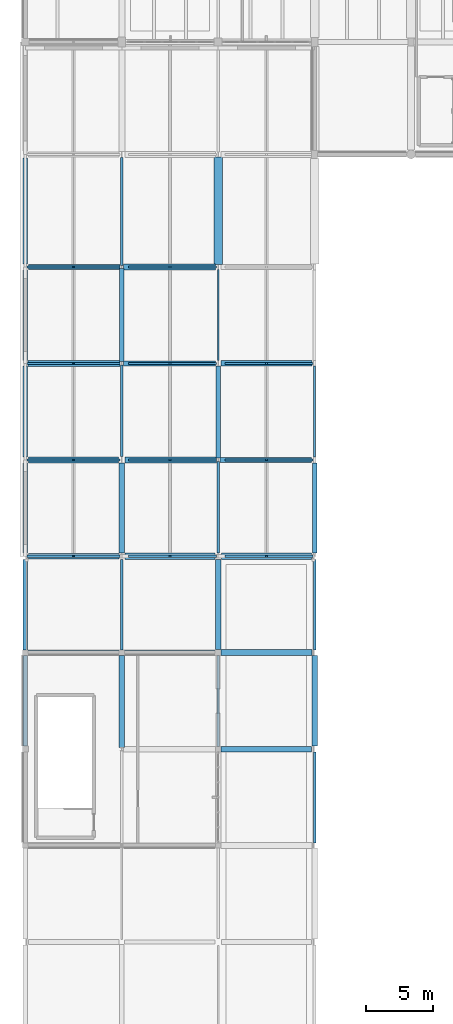
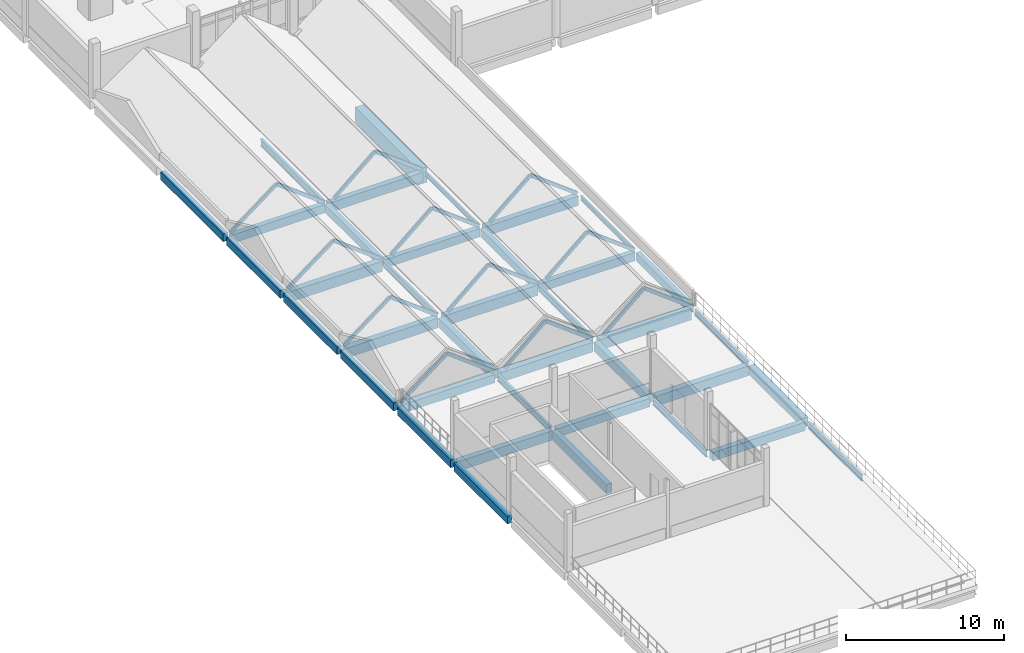
# One storey, part 6 of 41: 38 beams, 22 members.
"""IFC4 building model written with IfcOpenShell, lengths in metres."""

from ifc_helpers import new_model, si_unit, direction, frame, origin, origin_2d, place, context, subcontext, project, spatial, rectangle, hollow_rectangle, i_section, extrude, material, material_profile, profile_set, type_object, element, save


model = new_model("IFC4")

# Units and contexts
model_context = context("Model", 3, precision=1e-05, world=origin(), true_north=direction((0.0, 1.0)))
body_context = subcontext(model_context, "Body", "Model", "MODEL_VIEW")
ifc_project = project(units=[si_unit("LENGTHUNIT", "METRE"), si_unit("AREAUNIT", "SQUARE_METRE"), si_unit("VOLUMEUNIT", "CUBIC_METRE"), si_unit("PLANEANGLEUNIT", "RADIAN"), si_unit("MASSUNIT", "GRAM", prefix="KILO")], contexts=[model_context])

# Site, building, storey
site_placement = place(None, origin())
site = spatial("IfcSite", under=ifc_project, at=site_placement, CompositionType="ELEMENT")
building_placement = place(site_placement, origin())
building = spatial("IfcBuilding", under=site, at=building_placement, Name="Kalluvel Institute of Natural Sciences", CompositionType="ELEMENT")
storey_placement = place(building_placement, frame((0.0, 0.0, 32.39990234375)))
storey = spatial("IfcBuildingStorey", under=building, at=storey_placement, Name="L07", CompositionType="ELEMENT", Elevation=32.39990234375)

# Beams
ifc_material_1 = material(Name="Steel E350 Grade 350", Category="steel")
ifc_material_profile_1 = material_profile(ifc_material_1, i_section(OverallWidth=0.139892578125, OverallDepth=0.35009765625, WebThickness=0.008056640625, FlangeThickness=0.01416015625, FilletRadius=0.013916015625, at=origin_2d()), Name="ISMB 350")
ifc_profile_set_1 = profile_set([ifc_material_profile_1], Name="Steel E350 Grade 350")
beam_type_1 = type_object("IfcBeamType", Name="BM-ISMB350", PredefinedType="BEAM", material=ifc_profile_set_1)
beam_1_placement = place(storey_placement, frame((28.39990234375, 79.0, -0.494873046875), z_axis=(0.0, 1.0, 0.0), x_axis=(-1.0, 0.0, 0.0)))
element("IfcBeam", 1, at=beam_1_placement, inside=storey, type_object=beam_type_1, Name="L07 girder GIR-L07-NS-X284-Y788", PredefinedType="BEAM", context=body_context, shape_type="SweptSolid", body=[
    extrude(i_section(OverallWidth=0.139892578125, OverallDepth=0.35009765625, WebThickness=0.008056640625, FlangeThickness=0.01416015625, FilletRadius=0.013916015625, at=origin_2d()), origin(), (0.0, 0.0, 1.0), 6.800048828125),
])
beam_2_placement = place(storey_placement, frame((35.60009765625, 71.824951171875, -0.494873046875), z_axis=(0.0, 1.0, 0.0), x_axis=(-1.0, 0.0, 0.0)))
element("IfcBeam", 2, at=beam_2_placement, inside=storey, type_object=beam_type_1, Name="L07 girder GIR-L07-NS-X356-Y716", PredefinedType="BEAM", context=body_context, shape_type="SweptSolid", body=[
    extrude(i_section(OverallWidth=0.139892578125, OverallDepth=0.35009765625, WebThickness=0.008056640625, FlangeThickness=0.01416015625, FilletRadius=0.013916015625, at=origin_2d()), origin(), (0.0, 0.0, 1.0), 6.775146484375),
])
ifc_material_profile_2 = material_profile(ifc_material_1, i_section(OverallWidth=0.179931640625, OverallDepth=0.5, WebThickness=0.01025390625, FlangeThickness=0.01708984375, FilletRadius=0.01708984375, at=origin_2d()), Name="ISMB 500")
ifc_profile_set_2 = profile_set([ifc_material_profile_2], Name="Steel E350 Grade 350")
beam_type_2 = type_object("IfcBeamType", Name="BM-ISMB500", PredefinedType="BEAM", material=ifc_profile_set_2)
beam_3_placement = place(storey_placement, frame((21.199951171875, 57.39990234375, -0.56982421875), z_axis=(0.0, 1.0, 0.0), x_axis=(-1.0, 0.0, 0.0)))
element("IfcBeam", 3, at=beam_3_placement, inside=storey, type_object=beam_type_2, Name="L07 girder GIR-L07-NS-X212-Y572", PredefinedType="BEAM", context=body_context, shape_type="SweptSolid", body=[
    extrude(i_section(OverallWidth=0.179931640625, OverallDepth=0.5, WebThickness=0.01025390625, FlangeThickness=0.01708984375, FilletRadius=0.01708984375, at=origin_2d()), origin(), (0.0, 0.0, 1.0), 6.775146484375),
])
beam_4_placement = place(storey_placement, frame((21.199951171875, 71.85009765625, -0.56982421875), z_axis=(0.0, 1.0, 0.0), x_axis=(-1.0, 0.0, 0.0)))
element("IfcBeam", 4, at=beam_4_placement, inside=storey, type_object=beam_type_2, Name="L07 girder GIR-L07-NS-X212-Y716", PredefinedType="BEAM", context=body_context, shape_type="SweptSolid", body=[
    extrude(i_section(OverallWidth=0.179931640625, OverallDepth=0.5, WebThickness=0.01025390625, FlangeThickness=0.01708984375, FilletRadius=0.01708984375, at=origin_2d()), origin(), (0.0, 0.0, 1.0), 6.824951171875),
])
beam_5_placement = place(storey_placement, frame((28.39990234375, 50.199951171875, -0.56982421875), z_axis=(0.0, 1.0, 0.0), x_axis=(-1.0, 0.0, 0.0)))
element("IfcBeam", 5, at=beam_5_placement, inside=storey, type_object=beam_type_2, Name="L07 girder GIR-L07-NS-X284-Y500", PredefinedType="BEAM", context=body_context, shape_type="SweptSolid", body=[
    extrude(i_section(OverallWidth=0.179931640625, OverallDepth=0.5, WebThickness=0.01025390625, FlangeThickness=0.01708984375, FilletRadius=0.01708984375, at=origin_2d()), origin(), (0.0, 0.0, 1.0), 6.775146484375),
])
beam_6_placement = place(storey_placement, frame((28.39990234375, 64.64990234375, -0.56982421875), z_axis=(0.0, 1.0, 0.0), x_axis=(-1.0, 0.0, 0.0)))
element("IfcBeam", 6, at=beam_6_placement, inside=storey, type_object=beam_type_2, Name="L07 girder GIR-L07-NS-X284-Y644", PredefinedType="BEAM", context=body_context, shape_type="SweptSolid", body=[
    extrude(i_section(OverallWidth=0.179931640625, OverallDepth=0.5, WebThickness=0.01025390625, FlangeThickness=0.01708984375, FilletRadius=0.01708984375, at=origin_2d()), origin(), (0.0, 0.0, 1.0), 6.8251953125),
])
beam_7_placement = place(storey_placement, frame((35.60009765625, 43.0, -0.56982421875), z_axis=(0.0, 1.0, 0.0), x_axis=(-1.0, 0.0, 0.0)))
element("IfcBeam", 7, at=beam_7_placement, inside=storey, type_object=beam_type_2, Name="L07 girder GIR-L07-NS-X356-Y428", PredefinedType="BEAM", context=body_context, shape_type="SweptSolid", body=[
    extrude(i_section(OverallWidth=0.179931640625, OverallDepth=0.5, WebThickness=0.01025390625, FlangeThickness=0.01708984375, FilletRadius=0.01708984375, at=origin_2d()), origin(), (0.0, 0.0, 1.0), 6.77490234375),
])
beam_8_placement = place(storey_placement, frame((35.60009765625, 57.39990234375, -0.56982421875), z_axis=(0.0, 1.0, 0.0), x_axis=(-1.0, 0.0, 0.0)))
element("IfcBeam", 8, at=beam_8_placement, inside=storey, type_object=beam_type_2, Name="L07 girder GIR-L07-NS-X356-Y572", PredefinedType="BEAM", context=body_context, shape_type="SweptSolid", body=[
    extrude(i_section(OverallWidth=0.179931640625, OverallDepth=0.5, WebThickness=0.01025390625, FlangeThickness=0.01708984375, FilletRadius=0.01708984375, at=origin_2d()), origin(), (0.0, 0.0, 1.0), 6.75),
])
ifc_material_profile_3 = material_profile(ifc_material_1, i_section(OverallWidth=0.18994140625, OverallDepth=0.550048828125, WebThickness=0.01123046875, FlangeThickness=0.019287109375, FilletRadius=0.01806640625, at=origin_2d()), Name="ISMB 550")
ifc_profile_set_3 = profile_set([ifc_material_profile_3], Name="Steel E350 Grade 350")
beam_type_3 = type_object("IfcBeamType", Name="BM-ISMB550", PredefinedType="BEAM", material=ifc_profile_set_3)
beam_9_placement = place(storey_placement, frame((21.199951171875, 86.125, -0.594970703125), z_axis=(0.0, 1.0, 0.0), x_axis=(-1.0, 0.0, 0.0)))
element("IfcBeam", 9, at=beam_9_placement, inside=storey, type_object=beam_type_3, Name="L07 girder GIR-L07-NS-X212-Y860", PredefinedType="BEAM", context=body_context, shape_type="SweptSolid", body=[
    extrude(i_section(OverallWidth=0.18994140625, OverallDepth=0.550048828125, WebThickness=0.01123046875, FlangeThickness=0.019287109375, FilletRadius=0.01806640625, at=origin_2d()), origin(), (0.0, 0.0, 1.0), 8.050048828125),
])
ifc_material_2 = material(Name="Concrete M40", Category="concrete")
ifc_material_profile_4 = material_profile(ifc_material_2, rectangle(XDim=0.35009765625, YDim=0.60009765625, at=origin_2d()), Name="RCB 350x600")
ifc_profile_set_4 = profile_set([ifc_material_profile_4], Name="Concrete M40")
beam_type_4 = type_object("IfcBeamType", Name="BM-RC350x600", PredefinedType="BEAM", material=ifc_profile_set_4)
beam_10_placement = place(storey_placement, frame((21.199951171875, 78.925048828125, -0.619873046875), z_axis=(0.0, 1.0, 0.0), x_axis=(-1.0, 0.0, 0.0)))
element("IfcBeam", 10, at=beam_10_placement, inside=storey, type_object=beam_type_4, Name="L07 girder GIR-L07-NS-X212-Y788", PredefinedType="BEAM", context=body_context, shape_type="SweptSolid", body=[
    extrude(rectangle(XDim=0.35009765625, YDim=0.60009765625, at=origin_2d()), origin(), (0.0, 0.0, 1.0), 6.949951171875),
])
beam_11_placement = place(storey_placement, frame((28.39990234375, 71.72509765625, -0.619873046875), z_axis=(0.0, 1.0, 0.0), x_axis=(-1.0, 0.0, 0.0)))
element("IfcBeam", 11, at=beam_11_placement, inside=storey, type_object=beam_type_4, Name="L07 girder GIR-L07-NS-X284-Y716", PredefinedType="BEAM", context=body_context, shape_type="SweptSolid", body=[
    extrude(rectangle(XDim=0.35009765625, YDim=0.60009765625, at=origin_2d()), origin(), (0.0, 0.0, 1.0), 6.875),
])
beam_12_placement = place(storey_placement, frame((35.60009765625, 64.64990234375, -0.619873046875), z_axis=(0.0, 1.0, 0.0), x_axis=(-1.0, 0.0, 0.0)))
element("IfcBeam", 12, at=beam_12_placement, inside=storey, type_object=beam_type_4, Name="L07 girder GIR-L07-NS-X356-Y644", PredefinedType="BEAM", context=body_context, shape_type="SweptSolid", body=[
    extrude(rectangle(XDim=0.35009765625, YDim=0.60009765625, at=origin_2d()), origin(), (0.0, 0.0, 1.0), 6.72509765625),
])
ifc_material_profile_5 = material_profile(ifc_material_2, rectangle(XDim=0.3798828125, YDim=0.639892578125, at=origin_2d()), Name="RCB 380x640")
ifc_profile_set_5 = profile_set([ifc_material_profile_5], Name="Concrete M40")
beam_type_5 = type_object("IfcBeamType", Name="BM-RC380x640", PredefinedType="BEAM", material=ifc_profile_set_5)
beam_13_placement = place(storey_placement, frame((28.52490234375, 71.60009765625, -0.639892578125), z_axis=(1.0, 0.0, 0.0), x_axis=(0.0, 1.0, 0.0)))
element("IfcBeam", 13, at=beam_13_placement, inside=storey, type_object=beam_type_5, Name="L07 girder GIR-L07-EW-X284-Y716", PredefinedType="BEAM", context=body_context, shape_type="SweptSolid", body=[
    extrude(rectangle(XDim=0.3798828125, YDim=0.639892578125, at=origin_2d()), origin(), (0.0, 0.0, 1.0), 6.85009765625),
])
beam_14_placement = place(storey_placement, frame((21.324951171875, 78.800048828125, -0.639892578125), z_axis=(1.0, 0.0, 0.0), x_axis=(0.0, 1.0, 0.0)))
element("IfcBeam", 14, at=beam_14_placement, inside=storey, type_object=beam_type_5, Name="L07 girder GIR-L07-EW-X212-Y788", PredefinedType="BEAM", context=body_context, shape_type="SweptSolid", body=[
    extrude(rectangle(XDim=0.3798828125, YDim=0.639892578125, at=origin_2d()), origin(), (0.0, 0.0, 1.0), 6.875),
])
beam_15_placement = place(storey_placement, frame((14.22509765625, 86.0, -0.639892578125), z_axis=(1.0, 0.0, 0.0), x_axis=(0.0, 1.0, 0.0)))
element("IfcBeam", 15, at=beam_15_placement, inside=storey, type_object=beam_type_5, Name="L07 girder GIR-L07-EW-X140-Y860", PredefinedType="BEAM", context=body_context, shape_type="SweptSolid", body=[
    extrude(rectangle(XDim=0.3798828125, YDim=0.639892578125, at=origin_2d()), origin(), (0.0, 0.0, 1.0), 6.849853515625),
])
ifc_material_profile_6 = material_profile(ifc_material_2, rectangle(XDim=0.39990234375, YDim=0.64990234375, at=origin_2d()), Name="RCB 400x650")
ifc_profile_set_6 = profile_set([ifc_material_profile_6], Name="Concrete M40")
beam_type_6 = type_object("IfcBeamType", Name="BM-RC400x650", PredefinedType="BEAM", material=ifc_profile_set_6)
beam_16_placement = place(storey_placement, frame((28.60009765625, 50.0, -0.64501953125), z_axis=(1.0, 0.0, 0.0), x_axis=(0.0, 1.0, 0.0)))
element("IfcBeam", 16, at=beam_16_placement, inside=storey, type_object=beam_type_6, Name="L07 girder GIR-L07-EW-X284-Y500", PredefinedType="BEAM", context=body_context, shape_type="SweptSolid", body=[
    extrude(rectangle(XDim=0.39990234375, YDim=0.64990234375, at=origin_2d()), origin(), (0.0, 0.0, 1.0), 6.77490234375),
])
beam_17_placement = place(storey_placement, frame((21.39990234375, 57.199951171875, -0.64501953125), z_axis=(1.0, 0.0, 0.0), x_axis=(0.0, 1.0, 0.0)))
element("IfcBeam", 17, at=beam_17_placement, inside=storey, type_object=beam_type_6, Name="L07 girder GIR-L07-EW-X212-Y572", PredefinedType="BEAM", context=body_context, shape_type="SweptSolid", body=[
    extrude(rectangle(XDim=0.39990234375, YDim=0.64990234375, at=origin_2d()), origin(), (0.0, 0.0, 1.0), 6.775146484375),
])
beam_18_placement = place(storey_placement, frame((14.25, 64.39990234375, -0.64501953125), z_axis=(1.0, 0.0, 0.0), x_axis=(0.0, 1.0, 0.0)))
element("IfcBeam", 18, at=beam_18_placement, inside=storey, type_object=beam_type_6, Name="L07 girder GIR-L07-EW-X140-Y644", PredefinedType="BEAM", context=body_context, shape_type="SweptSolid", body=[
    extrude(rectangle(XDim=0.39990234375, YDim=0.64990234375, at=origin_2d()), origin(), (0.0, 0.0, 1.0), 6.72509765625),
])
ifc_material_profile_7 = material_profile(ifc_material_2, rectangle(XDim=0.39990234375, YDim=0.699951171875, at=origin_2d()), Name="RCB 400x700")
ifc_profile_set_7 = profile_set([ifc_material_profile_7], Name="Concrete M40")
beam_type_7 = type_object("IfcBeamType", Name="BM-RC400x700", PredefinedType="BEAM", material=ifc_profile_set_7)
beam_19_placement = place(storey_placement, frame((21.199951171875, 50.125, -0.669921875), z_axis=(0.0, 1.0, 0.0), x_axis=(-1.0, 0.0, 0.0)))
element("IfcBeam", 19, at=beam_19_placement, inside=storey, type_object=beam_type_7, Name="L07 girder GIR-L07-NS-X212-Y500", PredefinedType="BEAM", context=body_context, shape_type="SweptSolid", body=[
    extrude(rectangle(XDim=0.39990234375, YDim=0.699951171875, at=origin_2d()), origin(), (0.0, 0.0, 1.0), 6.875),
])
beam_20_placement = place(storey_placement, frame((21.199951171875, 64.625, -0.669921875), z_axis=(0.0, 1.0, 0.0), x_axis=(-1.0, 0.0, 0.0)))
element("IfcBeam", 20, at=beam_20_placement, inside=storey, type_object=beam_type_7, Name="L07 girder GIR-L07-NS-X212-Y644", PredefinedType="BEAM", context=body_context, shape_type="SweptSolid", body=[
    extrude(rectangle(XDim=0.39990234375, YDim=0.699951171875, at=origin_2d()), origin(), (0.0, 0.0, 1.0), 6.72509765625),
])
beam_21_placement = place(storey_placement, frame((28.39990234375, 57.425048828125, -0.669921875), z_axis=(0.0, 1.0, 0.0), x_axis=(-1.0, 0.0, 0.0)))
element("IfcBeam", 21, at=beam_21_placement, inside=storey, type_object=beam_type_7, Name="L07 girder GIR-L07-NS-X284-Y572", PredefinedType="BEAM", context=body_context, shape_type="SweptSolid", body=[
    extrude(rectangle(XDim=0.39990234375, YDim=0.699951171875, at=origin_2d()), origin(), (0.0, 0.0, 1.0), 6.724853515625),
])
beam_22_placement = place(storey_placement, frame((35.60009765625, 50.22509765625, -0.669921875), z_axis=(0.0, 1.0, 0.0), x_axis=(-1.0, 0.0, 0.0)))
element("IfcBeam", 22, at=beam_22_placement, inside=storey, type_object=beam_type_7, Name="L07 girder GIR-L07-NS-X356-Y500", PredefinedType="BEAM", context=body_context, shape_type="SweptSolid", body=[
    extrude(rectangle(XDim=0.39990234375, YDim=0.699951171875, at=origin_2d()), origin(), (0.0, 0.0, 1.0), 6.77490234375),
])
ifc_material_profile_8 = material_profile(ifc_material_2, rectangle(XDim=0.419921875, YDim=0.719970703125, at=origin_2d()), Name="RCB 420x720")
ifc_profile_set_8 = profile_set([ifc_material_profile_8], Name="Concrete M40")
beam_type_8 = type_object("IfcBeamType", Name="BM-RC420x720", PredefinedType="BEAM", material=ifc_profile_set_8)
beam_23_placement = place(storey_placement, frame((14.199951171875, 57.199951171875, -0.679931640625), z_axis=(1.0, 0.0, 0.0), x_axis=(0.0, 1.0, 0.0)))
element("IfcBeam", 23, at=beam_23_placement, inside=storey, type_object=beam_type_8, Name="L07 girder GIR-L07-EW-X140-Y572", PredefinedType="BEAM", context=body_context, shape_type="SweptSolid", body=[
    extrude(rectangle(XDim=0.419921875, YDim=0.719970703125, at=origin_2d()), origin(), (0.0, 0.0, 1.0), 6.800048828125),
])
beam_24_placement = place(storey_placement, frame((28.60009765625, 78.800048828125, -0.679931640625), z_axis=(1.0, 0.0, 0.0), x_axis=(0.0, 1.0, 0.0)))
element("IfcBeam", 24, at=beam_24_placement, inside=storey, type_object=beam_type_8, Name="L07 girder GIR-L07-EW-X284-Y788", PredefinedType="BEAM", context=body_context, shape_type="SweptSolid", body=[
    extrude(rectangle(XDim=0.419921875, YDim=0.719970703125, at=origin_2d()), origin(), (0.0, 0.0, 1.0), 6.7998046875),
])
beam_25_placement = place(storey_placement, frame((21.324951171875, 86.0, -0.679931640625), z_axis=(1.0, 0.0, 0.0), x_axis=(0.0, 1.0, 0.0)))
element("IfcBeam", 25, at=beam_25_placement, inside=storey, type_object=beam_type_8, Name="L07 girder GIR-L07-EW-X212-Y860", PredefinedType="BEAM", context=body_context, shape_type="SweptSolid", body=[
    extrude(rectangle(XDim=0.419921875, YDim=0.719970703125, at=origin_2d()), origin(), (0.0, 0.0, 1.0), 6.875),
])
ifc_material_profile_9 = material_profile(ifc_material_2, rectangle(XDim=0.449951171875, YDim=0.75, at=origin_2d()), Name="RCB 450x750")
ifc_profile_set_9 = profile_set([ifc_material_profile_9], Name="Concrete M40")
beam_type_9 = type_object("IfcBeamType", Name="BM-RC450x750", PredefinedType="BEAM", material=ifc_profile_set_9)
beam_26_placement = place(storey_placement, frame((28.625, 57.199951171875, -0.69482421875), z_axis=(1.0, 0.0, 0.0), x_axis=(0.0, 1.0, 0.0)))
element("IfcBeam", 26, at=beam_26_placement, inside=storey, type_object=beam_type_9, Name="L07 girder GIR-L07-EW-X284-Y572", PredefinedType="BEAM", context=body_context, shape_type="SweptSolid", body=[
    extrude(rectangle(XDim=0.449951171875, YDim=0.75, at=origin_2d()), origin(), (0.0, 0.0, 1.0), 6.77490234375),
])
for number, where, z_axis, x_axis, name in (
    (27, (21.425048828125, 64.39990234375, -0.69482421875), (1.0, 0.0, 0.0), (0.0, 1.0, 0.0), "L07 girder GIR-L07-EW-X212-Y644"),
    (28, (14.22509765625, 71.60009765625, -0.69482421875), (1.0, 0.0, 0.0), (0.0, 1.0, 0.0), "L07 girder GIR-L07-EW-X140-Y716"),
):
    element("IfcBeam", number, at=place(storey_placement, frame(where, z_axis=z_axis, x_axis=x_axis)), inside=storey, type_object=beam_type_9, Name=name, PredefinedType="BEAM", context=body_context, shape_type="SweptSolid", body=[
        extrude(rectangle(XDim=0.449951171875, YDim=0.75, at=origin_2d()), origin(), (0.0, 0.0, 1.0), 6.724853515625),
    ])
ifc_material_profile_10 = material_profile(ifc_material_2, rectangle(XDim=0.449951171875, YDim=0.800048828125, at=origin_2d()), Name="RCB 450x800")
ifc_profile_set_10 = profile_set([ifc_material_profile_10], Name="Concrete M40")
beam_type_10 = type_object("IfcBeamType", Name="BM-RC450x800", PredefinedType="BEAM", material=ifc_profile_set_10)
beam_27_placement = place(storey_placement, frame((28.64990234375, 64.39990234375, -0.719970703125), z_axis=(1.0, 0.0, 0.0), x_axis=(0.0, 1.0, 0.0)))
element("IfcBeam", 29, at=beam_27_placement, inside=storey, type_object=beam_type_10, Name="L07 girder GIR-L07-EW-X284-Y644", PredefinedType="BEAM", context=body_context, shape_type="SweptSolid", body=[
    extrude(rectangle(XDim=0.449951171875, YDim=0.800048828125, at=origin_2d()), origin(), (0.0, 0.0, 1.0), 6.7001953125),
])
beam_28_placement = place(storey_placement, frame((21.449951171875, 71.60009765625, -0.719970703125), z_axis=(1.0, 0.0, 0.0), x_axis=(0.0, 1.0, 0.0)))
element("IfcBeam", 30, at=beam_28_placement, inside=storey, type_object=beam_type_10, Name="L07 girder GIR-L07-EW-X212-Y716", PredefinedType="BEAM", context=body_context, shape_type="SweptSolid", body=[
    extrude(rectangle(XDim=0.449951171875, YDim=0.800048828125, at=origin_2d()), origin(), (0.0, 0.0, 1.0), 6.824951171875),
])
beam_29_placement = place(storey_placement, frame((14.199951171875, 78.800048828125, -0.719970703125), z_axis=(1.0, 0.0, 0.0), x_axis=(0.0, 1.0, 0.0)))
element("IfcBeam", 31, at=beam_29_placement, inside=storey, type_object=beam_type_10, Name="L07 girder GIR-L07-EW-X140-Y788", PredefinedType="BEAM", context=body_context, shape_type="SweptSolid", body=[
    extrude(rectangle(XDim=0.449951171875, YDim=0.800048828125, at=origin_2d()), origin(), (0.0, 0.0, 1.0), 6.875),
])
ifc_material_3 = material(Name="Concrete M50", Category="concrete")
ifc_material_profile_11 = material_profile(ifc_material_3, rectangle(XDim=0.64990234375, YDim=1.199951171875, at=origin_2d()), Name="RCB 650x1200")
ifc_profile_set_11 = profile_set([ifc_material_profile_11], Name="Concrete M50")
beam_type_11 = type_object("IfcBeamType", Name="BM-RC650x1200", PredefinedType="BEAM", material=ifc_profile_set_11)
beam_30_placement = place(storey_placement, frame((28.39990234375, 86.199951171875, -0.919921875), z_axis=(0.0, 1.0, 0.0), x_axis=(-1.0, 0.0, 0.0)))
element("IfcBeam", 32, at=beam_30_placement, inside=storey, type_object=beam_type_11, Name="L07 girder GIR-L07-NS-X284-Y860", PredefinedType="BEAM", context=body_context, shape_type="SweptSolid", body=[
    extrude(rectangle(XDim=0.64990234375, YDim=1.199951171875, at=origin_2d()), origin(), (0.0, 0.0, 1.0), 8.0),
])

# Members
ifc_material_profile_12 = material_profile(ifc_material_1, hollow_rectangle(XDim=0.14990234375, YDim=0.25, WallThickness=0.010009765625, at=origin_2d()), Name="RHS 250x150x10")
ifc_profile_set_12 = profile_set([ifc_material_profile_12], Name="Steel E350 Grade 350")
member_type = type_object("IfcMemberType", Name="MB-RAFT-RHS250", PredefinedType="RAFTER", material=ifc_profile_set_12)
member_1_placement = place(storey_placement, frame((14.199951171875, 64.39990234375, -0.199951171875), z_axis=(0.796617186193, 0.0, 0.604484126063), x_axis=(0.0, 1.0, 0.0)))
element("IfcMember", 33, at=member_1_placement, inside=storey, type_object=member_type, Name="Dry Wing Gothic roof rafter W1-64", PredefinedType="RAFTER", context=body_context, shape_type="SweptSolid", body=[
    extrude(hollow_rectangle(XDim=0.14990234375, YDim=0.25, WallThickness=0.010009765625, at=origin_2d()), origin(), (0.0, 0.0, 1.0), 4.268310546875),
])
member_2_placement = place(storey_placement, frame((21.0, 64.39990234375, -0.199951171875), z_axis=(-0.796596284013, 0.0, 0.604511670935), x_axis=(0.0, -1.0, 0.0)))
element("IfcMember", 34, at=member_2_placement, inside=storey, type_object=member_type, Name="Dry Wing Gothic roof rafter E1-64", PredefinedType="RAFTER", context=body_context, shape_type="SweptSolid", body=[
    extrude(hollow_rectangle(XDim=0.14990234375, YDim=0.25, WallThickness=0.010009765625, at=origin_2d()), origin(), (0.0, 0.0, 1.0), 4.26806640625),
])
member_3_placement = place(storey_placement, frame((14.199951171875, 71.60009765625, -0.199951171875), z_axis=(0.796617186193, 0.0, 0.604484126063), x_axis=(0.0, 1.0, 0.0)))
element("IfcMember", 35, at=member_3_placement, inside=storey, type_object=member_type, Name="Dry Wing Gothic roof rafter W1-71", PredefinedType="RAFTER", context=body_context, shape_type="SweptSolid", body=[
    extrude(hollow_rectangle(XDim=0.14990234375, YDim=0.25, WallThickness=0.010009765625, at=origin_2d()), origin(), (0.0, 0.0, 1.0), 4.268310546875),
])
member_4_placement = place(storey_placement, frame((21.0, 71.60009765625, -0.199951171875), z_axis=(-0.796596284013, 0.0, 0.604511670935), x_axis=(0.0, -1.0, 0.0)))
element("IfcMember", 36, at=member_4_placement, inside=storey, type_object=member_type, Name="Dry Wing Gothic roof rafter E1-71", PredefinedType="RAFTER", context=body_context, shape_type="SweptSolid", body=[
    extrude(hollow_rectangle(XDim=0.14990234375, YDim=0.25, WallThickness=0.010009765625, at=origin_2d()), origin(), (0.0, 0.0, 1.0), 4.26806640625),
])
member_5_placement = place(storey_placement, frame((14.199951171875, 78.800048828125, -0.199951171875), z_axis=(0.796617186193, 0.0, 0.604484126063), x_axis=(0.0, 1.0, 0.0)))
element("IfcMember", 37, at=member_5_placement, inside=storey, type_object=member_type, Name="Dry Wing Gothic roof rafter W1-78", PredefinedType="RAFTER", context=body_context, shape_type="SweptSolid", body=[
    extrude(hollow_rectangle(XDim=0.14990234375, YDim=0.25, WallThickness=0.010009765625, at=origin_2d()), origin(), (0.0, 0.0, 1.0), 4.268310546875),
])
member_6_placement = place(storey_placement, frame((21.0, 78.800048828125, -0.199951171875), z_axis=(-0.796596284013, 0.0, 0.604511670935), x_axis=(0.0, -1.0, 0.0)))
element("IfcMember", 38, at=member_6_placement, inside=storey, type_object=member_type, Name="Dry Wing Gothic roof rafter E1-78", PredefinedType="RAFTER", context=body_context, shape_type="SweptSolid", body=[
    extrude(hollow_rectangle(XDim=0.14990234375, YDim=0.25, WallThickness=0.010009765625, at=origin_2d()), origin(), (0.0, 0.0, 1.0), 4.26806640625),
])
member_7_placement = place(storey_placement, frame((14.199951171875, 86.0, -0.199951171875), z_axis=(0.796617186193, 0.0, 0.604484126063), x_axis=(0.0, 1.0, 0.0)))
element("IfcMember", 39, at=member_7_placement, inside=storey, type_object=member_type, Name="Dry Wing Gothic roof rafter W1-86", PredefinedType="RAFTER", context=body_context, shape_type="SweptSolid", body=[
    extrude(hollow_rectangle(XDim=0.14990234375, YDim=0.25, WallThickness=0.010009765625, at=origin_2d()), origin(), (0.0, 0.0, 1.0), 4.268310546875),
])
member_8_placement = place(storey_placement, frame((21.0, 86.0, -0.199951171875), z_axis=(-0.796596284013, 0.0, 0.604511670935), x_axis=(0.0, -1.0, 0.0)))
element("IfcMember", 40, at=member_8_placement, inside=storey, type_object=member_type, Name="Dry Wing Gothic roof rafter E1-86", PredefinedType="RAFTER", context=body_context, shape_type="SweptSolid", body=[
    extrude(hollow_rectangle(XDim=0.14990234375, YDim=0.25, WallThickness=0.010009765625, at=origin_2d()), origin(), (0.0, 0.0, 1.0), 4.26806640625),
])
member_9_placement = place(storey_placement, frame((21.800048828125, 64.39990234375, -0.199951171875), z_axis=(0.758175435379, 0.0, 0.652050618578), x_axis=(0.0, 1.0, 0.0)))
element("IfcMember", 41, at=member_9_placement, inside=storey, type_object=member_type, Name="Dry Wing Gothic roof rafter W2-64", PredefinedType="RAFTER", context=body_context, shape_type="SweptSolid", body=[
    extrude(hollow_rectangle(XDim=0.14990234375, YDim=0.25, WallThickness=0.010009765625, at=origin_2d()), origin(), (0.0, 0.0, 1.0), 3.956787109375),
])
member_10_placement = place(storey_placement, frame((28.199951171875, 64.39990234375, -0.199951171875), z_axis=(-0.796596284013, 0.0, 0.604511670935), x_axis=(0.0, -1.0, 0.0)))
element("IfcMember", 42, at=member_10_placement, inside=storey, type_object=member_type, Name="Dry Wing Gothic roof rafter E2-64", PredefinedType="RAFTER", context=body_context, shape_type="SweptSolid", body=[
    extrude(hollow_rectangle(XDim=0.14990234375, YDim=0.25, WallThickness=0.010009765625, at=origin_2d()), origin(), (0.0, 0.0, 1.0), 4.26806640625),
])
member_11_placement = place(storey_placement, frame((21.800048828125, 71.60009765625, -0.199951171875), z_axis=(0.758175435379, 0.0, 0.652050618578), x_axis=(0.0, 1.0, 0.0)))
element("IfcMember", 43, at=member_11_placement, inside=storey, type_object=member_type, Name="Dry Wing Gothic roof rafter W2-71", PredefinedType="RAFTER", context=body_context, shape_type="SweptSolid", body=[
    extrude(hollow_rectangle(XDim=0.14990234375, YDim=0.25, WallThickness=0.010009765625, at=origin_2d()), origin(), (0.0, 0.0, 1.0), 3.956787109375),
])
member_12_placement = place(storey_placement, frame((28.199951171875, 71.60009765625, -0.199951171875), z_axis=(-0.796596284013, 0.0, 0.604511670935), x_axis=(0.0, -1.0, 0.0)))
element("IfcMember", 44, at=member_12_placement, inside=storey, type_object=member_type, Name="Dry Wing Gothic roof rafter E2-71", PredefinedType="RAFTER", context=body_context, shape_type="SweptSolid", body=[
    extrude(hollow_rectangle(XDim=0.14990234375, YDim=0.25, WallThickness=0.010009765625, at=origin_2d()), origin(), (0.0, 0.0, 1.0), 4.26806640625),
])
member_13_placement = place(storey_placement, frame((21.800048828125, 78.800048828125, -0.199951171875), z_axis=(0.758175435379, 0.0, 0.652050618578), x_axis=(0.0, 1.0, 0.0)))
element("IfcMember", 45, at=member_13_placement, inside=storey, type_object=member_type, Name="Dry Wing Gothic roof rafter W2-78", PredefinedType="RAFTER", context=body_context, shape_type="SweptSolid", body=[
    extrude(hollow_rectangle(XDim=0.14990234375, YDim=0.25, WallThickness=0.010009765625, at=origin_2d()), origin(), (0.0, 0.0, 1.0), 3.956787109375),
])
member_14_placement = place(storey_placement, frame((28.199951171875, 78.800048828125, -0.199951171875), z_axis=(-0.796596284013, 0.0, 0.604511670935), x_axis=(0.0, -1.0, 0.0)))
element("IfcMember", 46, at=member_14_placement, inside=storey, type_object=member_type, Name="Dry Wing Gothic roof rafter E2-78", PredefinedType="RAFTER", context=body_context, shape_type="SweptSolid", body=[
    extrude(hollow_rectangle(XDim=0.14990234375, YDim=0.25, WallThickness=0.010009765625, at=origin_2d()), origin(), (0.0, 0.0, 1.0), 4.26806640625),
])
member_15_placement = place(storey_placement, frame((21.800048828125, 86.0, -0.199951171875), z_axis=(0.758175435379, 0.0, 0.652050618578), x_axis=(0.0, 1.0, 0.0)))
element("IfcMember", 47, at=member_15_placement, inside=storey, type_object=member_type, Name="Dry Wing Gothic roof rafter W2-86", PredefinedType="RAFTER", context=body_context, shape_type="SweptSolid", body=[
    extrude(hollow_rectangle(XDim=0.14990234375, YDim=0.25, WallThickness=0.010009765625, at=origin_2d()), origin(), (0.0, 0.0, 1.0), 3.956787109375),
])
member_16_placement = place(storey_placement, frame((28.199951171875, 86.0, -0.199951171875), z_axis=(-0.796596284013, 0.0, 0.604511670935), x_axis=(0.0, -1.0, 0.0)))
element("IfcMember", 48, at=member_16_placement, inside=storey, type_object=member_type, Name="Dry Wing Gothic roof rafter E2-86", PredefinedType="RAFTER", context=body_context, shape_type="SweptSolid", body=[
    extrude(hollow_rectangle(XDim=0.14990234375, YDim=0.25, WallThickness=0.010009765625, at=origin_2d()), origin(), (0.0, 0.0, 1.0), 4.26806640625),
])
member_17_placement = place(storey_placement, frame((29.0, 64.39990234375, -0.199951171875), z_axis=(0.758175435379, 0.0, 0.652050618578), x_axis=(0.0, 1.0, 0.0)))
element("IfcMember", 49, at=member_17_placement, inside=storey, type_object=member_type, Name="Dry Wing Gothic roof rafter W3-64", PredefinedType="RAFTER", context=body_context, shape_type="SweptSolid", body=[
    extrude(hollow_rectangle(XDim=0.14990234375, YDim=0.25, WallThickness=0.010009765625, at=origin_2d()), origin(), (0.0, 0.0, 1.0), 3.956787109375),
])
member_18_placement = place(storey_placement, frame((35.39990234375, 64.39990234375, -0.199951171875), z_axis=(-0.796596284013, 0.0, 0.604511670935), x_axis=(0.0, -1.0, 0.0)))
element("IfcMember", 50, at=member_18_placement, inside=storey, type_object=member_type, Name="Dry Wing Gothic roof rafter E3-64", PredefinedType="RAFTER", context=body_context, shape_type="SweptSolid", body=[
    extrude(hollow_rectangle(XDim=0.14990234375, YDim=0.25, WallThickness=0.010009765625, at=origin_2d()), origin(), (0.0, 0.0, 1.0), 4.26806640625),
])
member_19_placement = place(storey_placement, frame((29.0, 71.60009765625, -0.199951171875), z_axis=(0.758175435379, 0.0, 0.652050618578), x_axis=(0.0, 1.0, 0.0)))
element("IfcMember", 51, at=member_19_placement, inside=storey, type_object=member_type, Name="Dry Wing Gothic roof rafter W3-71", PredefinedType="RAFTER", context=body_context, shape_type="SweptSolid", body=[
    extrude(hollow_rectangle(XDim=0.14990234375, YDim=0.25, WallThickness=0.010009765625, at=origin_2d()), origin(), (0.0, 0.0, 1.0), 3.956787109375),
])
member_20_placement = place(storey_placement, frame((35.39990234375, 71.60009765625, -0.199951171875), z_axis=(-0.796596284013, 0.0, 0.604511670935), x_axis=(0.0, -1.0, 0.0)))
element("IfcMember", 52, at=member_20_placement, inside=storey, type_object=member_type, Name="Dry Wing Gothic roof rafter E3-71", PredefinedType="RAFTER", context=body_context, shape_type="SweptSolid", body=[
    extrude(hollow_rectangle(XDim=0.14990234375, YDim=0.25, WallThickness=0.010009765625, at=origin_2d()), origin(), (0.0, 0.0, 1.0), 4.26806640625),
])
member_21_placement = place(storey_placement, frame((29.0, 78.800048828125, -0.199951171875), z_axis=(0.758175435379, 0.0, 0.652050618578), x_axis=(0.0, 1.0, 0.0)))
element("IfcMember", 53, at=member_21_placement, inside=storey, type_object=member_type, Name="Dry Wing Gothic roof rafter W3-78", PredefinedType="RAFTER", context=body_context, shape_type="SweptSolid", body=[
    extrude(hollow_rectangle(XDim=0.14990234375, YDim=0.25, WallThickness=0.010009765625, at=origin_2d()), origin(), (0.0, 0.0, 1.0), 3.956787109375),
])
member_22_placement = place(storey_placement, frame((35.39990234375, 78.800048828125, -0.199951171875), z_axis=(-0.796596284013, 0.0, 0.604511670935), x_axis=(0.0, -1.0, 0.0)))
element("IfcMember", 54, at=member_22_placement, inside=storey, type_object=member_type, Name="Dry Wing Gothic roof rafter E3-78", PredefinedType="RAFTER", context=body_context, shape_type="SweptSolid", body=[
    extrude(hollow_rectangle(XDim=0.14990234375, YDim=0.25, WallThickness=0.010009765625, at=origin_2d()), origin(), (0.0, 0.0, 1.0), 4.26806640625),
])

# Beams
ifc_material_profile_13 = material_profile(ifc_material_2, rectangle(XDim=0.35009765625, YDim=0.60009765625, at=origin_2d()), Name="RCB 350x600")
ifc_profile_set_13 = profile_set([ifc_material_profile_13], Name="Concrete M40")
beam_type_12 = type_object("IfcBeamType", Name="SP-RC350x600", PredefinedType="SPANDREL", material=ifc_profile_set_13)
beam_31_placement = place(storey_placement, frame((14.0, 50.22509765625, -0.619873046875), z_axis=(0.0, 1.0, 0.0), x_axis=(-1.0, 0.0, 0.0)))
element("IfcBeam", 55, at=beam_31_placement, inside=storey, type_object=beam_type_12, Name="L07 girder GIR-L07-NS-X140-Y500", PredefinedType="SPANDREL", context=body_context, shape_type="SweptSolid", body=[
    extrude(rectangle(XDim=0.35009765625, YDim=0.60009765625, at=origin_2d()), origin(), (0.0, 0.0, 1.0), 6.77490234375),
])
beam_32_placement = place(storey_placement, frame((14.0, 57.39990234375, -0.619873046875), z_axis=(0.0, 1.0, 0.0), x_axis=(-1.0, 0.0, 0.0)))
element("IfcBeam", 56, at=beam_32_placement, inside=storey, type_object=beam_type_12, Name="L07 girder GIR-L07-NS-X140-Y572", PredefinedType="SPANDREL", context=body_context, shape_type="SweptSolid", body=[
    extrude(rectangle(XDim=0.35009765625, YDim=0.60009765625, at=origin_2d()), origin(), (0.0, 0.0, 1.0), 6.75),
])
beam_33_placement = place(storey_placement, frame((14.0, 64.64990234375, -0.619873046875), z_axis=(0.0, 1.0, 0.0), x_axis=(-1.0, 0.0, 0.0)))
element("IfcBeam", 57, at=beam_33_placement, inside=storey, type_object=beam_type_12, Name="L07 girder GIR-L07-NS-X140-Y644", PredefinedType="SPANDREL", context=body_context, shape_type="SweptSolid", body=[
    extrude(rectangle(XDim=0.35009765625, YDim=0.60009765625, at=origin_2d()), origin(), (0.0, 0.0, 1.0), 6.72509765625),
])
beam_34_placement = place(storey_placement, frame((14.0, 71.824951171875, -0.619873046875), z_axis=(0.0, 1.0, 0.0), x_axis=(-1.0, 0.0, 0.0)))
element("IfcBeam", 58, at=beam_34_placement, inside=storey, type_object=beam_type_12, Name="L07 girder GIR-L07-NS-X140-Y716", PredefinedType="SPANDREL", context=body_context, shape_type="SweptSolid", body=[
    extrude(rectangle(XDim=0.35009765625, YDim=0.60009765625, at=origin_2d()), origin(), (0.0, 0.0, 1.0), 6.775146484375),
])
beam_35_placement = place(storey_placement, frame((14.0, 79.0, -0.619873046875), z_axis=(0.0, 1.0, 0.0), x_axis=(-1.0, 0.0, 0.0)))
element("IfcBeam", 59, at=beam_35_placement, inside=storey, type_object=beam_type_12, Name="L07 girder GIR-L07-NS-X140-Y788", PredefinedType="SPANDREL", context=body_context, shape_type="SweptSolid", body=[
    extrude(rectangle(XDim=0.35009765625, YDim=0.60009765625, at=origin_2d()), origin(), (0.0, 0.0, 1.0), 6.77490234375),
])
beam_36_placement = place(storey_placement, frame((14.0, 86.22509765625, -0.619873046875), z_axis=(0.0, 1.0, 0.0), x_axis=(-1.0, 0.0, 0.0)))
element("IfcBeam", 60, at=beam_36_placement, inside=storey, type_object=beam_type_12, Name="L07 girder GIR-L07-NS-X140-Y860", PredefinedType="SPANDREL", context=body_context, shape_type="SweptSolid", body=[
    extrude(rectangle(XDim=0.35009765625, YDim=0.60009765625, at=origin_2d()), origin(), (0.0, 0.0, 1.0), 7.9248046875),
])

save(model, "model.ifc")
